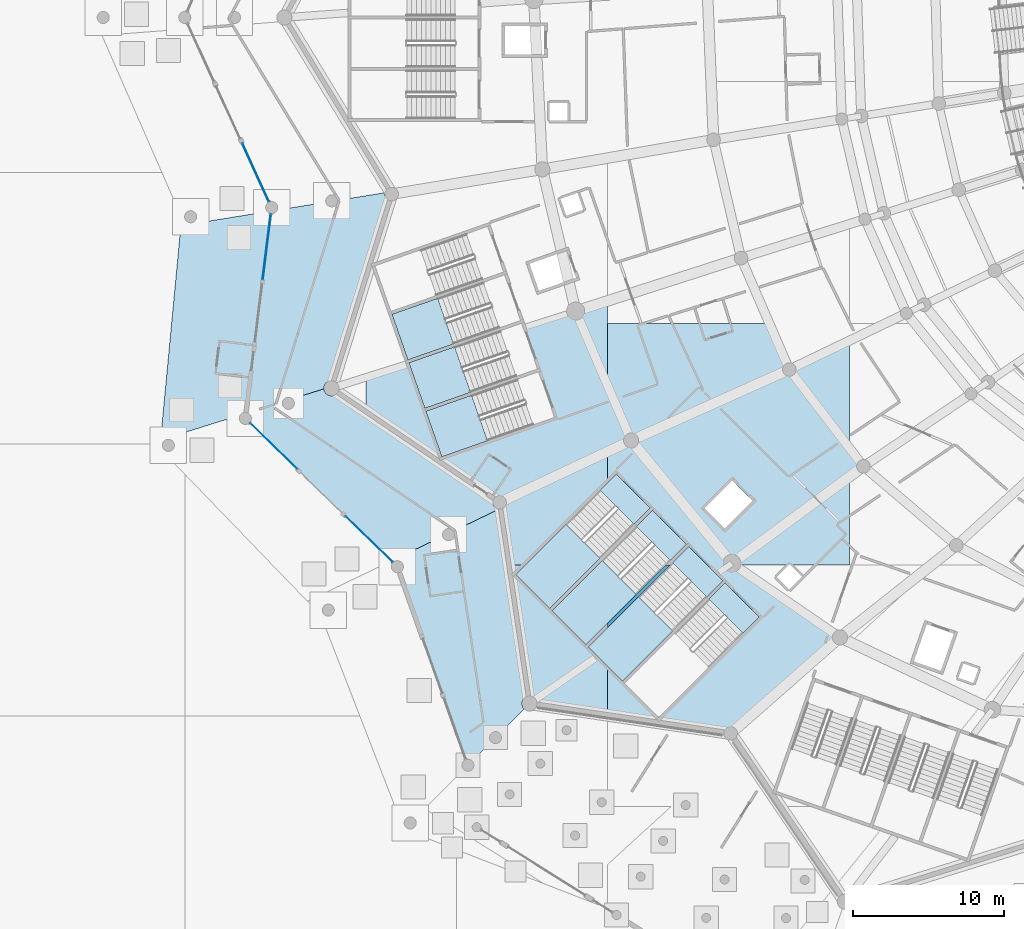
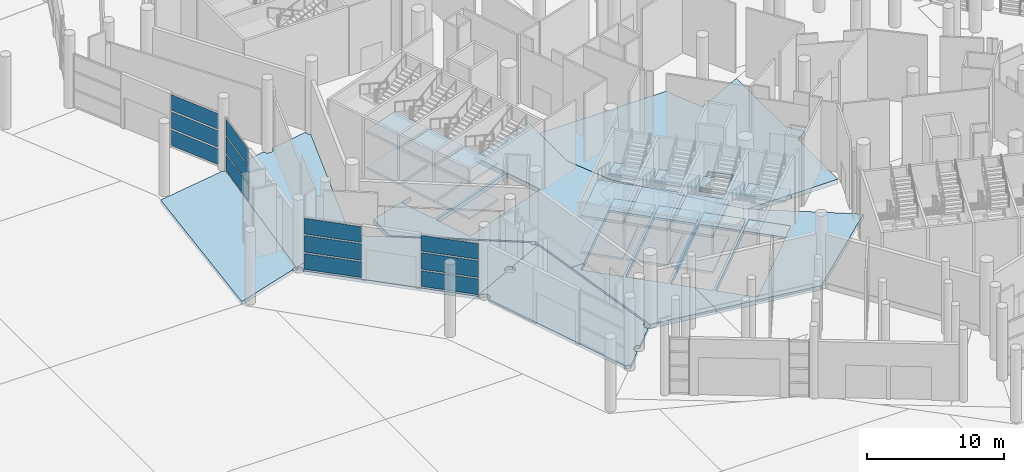
# One storey, part 70 of 255: 29 slabs, 12 plates, 11 elements without a shape of their own.
"""IFC4 building model written with IfcOpenShell, lengths in metres."""

from ifc_helpers import new_model, si_unit, direction, frame, origin, origin_2d, place, context, subcontext, project, spatial, polyline, rectangle, outline, extrude, material, layer, layer_set, type_object, element, aggregate, save


model = new_model("IFC4")

# Units and contexts
model_context = context("Model", 3, precision=1e-05, world=origin(), true_north=direction((0.0, 1.0)))
body_context = subcontext(model_context, "Body", "Model", "MODEL_VIEW")
ifc_project = project(units=[si_unit("LENGTHUNIT", "METRE"), si_unit("AREAUNIT", "SQUARE_METRE"), si_unit("VOLUMEUNIT", "CUBIC_METRE"), si_unit("PLANEANGLEUNIT", "RADIAN"), si_unit("MASSUNIT", "GRAM", prefix="KILO")], contexts=[model_context])

# Site, building, storey
site_placement = place(None, origin())
site = spatial("IfcSite", under=ifc_project, at=site_placement, CompositionType="ELEMENT")
building_placement = place(site_placement, origin())
building = spatial("IfcBuilding", under=site, at=building_placement, Name="Meseta Stadium", CompositionType="ELEMENT")
storey_placement = place(building_placement, origin())
storey = spatial("IfcBuildingStorey", under=building, at=storey_placement, Name="L00", CompositionType="ELEMENT", Elevation=0.0)

# Slabs
ifc_material_1 = material(Name="Concrete C40/50", Category="concrete")
ifc_layer_1 = layer(ifc_material_1, 0.39990234375)
ifc_layer_set_1 = layer_set([ifc_layer_1], Name="Floor slab 400")
slab_type_1 = type_object("IfcSlabType", Name="Floor slab 400", PredefinedType="FLOOR", material=ifc_layer_set_1)
slab_1_placement = place(storey_placement, frame((0.0, 0.0, -0.39990234375)))
element("IfcSlab", 1, at=slab_1_placement, inside=storey, type_object=slab_type_1, Name="Floor slab L00 sector 35 panel 04", PredefinedType="FLOOR", context=body_context, shape_type="SweptSolid", body=[
    extrude(outline(polyline([(-80.0, -62.44580078125), (-85.63037109375, -64.211181640625), (-84.647705078125, -67.01953125), (-92.104248046875, -69.62890625), (-93.1611328125, -66.6083984375), (-92.1708984375, -66.26171875), (-96.0, -67.46240234375), (-96.0, -69.85205078125), (-87.15087890625, -75.856689453125), (-86.53564453125, -80.0), (-85.475341796875, -80.0), (-80.0, -74.524658203125), (-80.0, -72.84228515625), (-78.246337890625, -71.998779296875), (-78.4453125, -71.756103515625), (-80.0, -68.13232421875), (-80.0, -62.44580078125)]), holes=[polyline([(-92.0380859375, -69.8173828125), (-84.58154296875, -67.208251953125), (-83.524658203125, -70.228759765625), (-90.981201171875, -72.837890625), (-92.0380859375, -69.8173828125)])]), origin(), (0.0, 0.0, 1.0), 0.39990234375),
])
slab_2_placement = place(storey_placement, frame((0.0, 0.0, -0.39990234375)))
element("IfcSlab", 2, at=slab_2_placement, inside=storey, type_object=slab_type_1, Name="Floor slab L00 sector 35 panel 05", PredefinedType="FLOOR", context=body_context, shape_type="SweptSolid", body=[
    extrude(outline(polyline([(-83.688720703125, -83.02197265625), (-80.0, -79.3330078125), (-80.0, -79.05029296875), (-83.830078125, -82.880615234375), (-86.093017578125, -80.61767578125), (-85.475341796875, -80.0), (-86.53564453125, -80.0), (-85.173583984375, -89.173583984375), (-80.0, -89.94189453125), (-80.0, -86.710693359375), (-81.28466796875, -85.426025390625), (-80.0, -84.141357421875), (-80.0, -83.858642578125), (-81.426025390625, -85.28466796875), (-83.688720703125, -83.02197265625)])), origin(), (0.0, 0.0, 1.0), 0.39990234375),
])
slab_3_placement = place(storey_placement, frame((0.0, 0.0, -0.39990234375)))
element("IfcSlab", 3, at=slab_3_placement, inside=storey, type_object=slab_type_1, Name="Floor slab L00 sector 35 panel 08", PredefinedType="FLOOR", context=body_context, shape_type="SweptSolid", body=[
    extrude(outline(polyline([(-80.0, -83.858642578125), (-80.0, -84.141357421875), (-75.858642578125, -80.0), (-76.141357421875, -80.0), (-80.0, -83.858642578125)])), origin(), (0.0, 0.0, 1.0), 0.39990234375),
])
slab_4_placement = place(storey_placement, frame((0.0, 0.0, -0.39990234375)))
element("IfcSlab", 4, at=slab_4_placement, inside=storey, type_object=slab_type_1, Name="Floor slab L00 sector 35 panel 09", PredefinedType="FLOOR", context=body_context, shape_type="SweptSolid", body=[
    extrude(outline(polyline([(-74.779296875, -78.6376953125), (-76.141357421875, -80.0), (-75.858642578125, -80.0), (-74.6376953125, -78.779296875), (-72.375, -81.0419921875), (-79.02197265625, -87.688720703125), (-80.0, -86.710693359375), (-80.0, -89.94189453125), (-71.856689453125, -91.15087890625), (-64.6220703125, -84.79248046875), (-71.775390625, -79.888916015625), (-78.246337890625, -71.998779296875), (-80.0, -72.84228515625), (-80.0, -74.524658203125), (-79.4462890625, -73.970947265625), (-77.183349609375, -76.233642578125), (-80.0, -79.05029296875), (-80.0, -79.3330078125), (-77.0419921875, -76.375), (-74.779296875, -78.6376953125)]), holes=[polyline([(-78.880615234375, -87.830078125), (-72.233642578125, -81.183349609375), (-69.970947265625, -83.4462890625), (-76.61767578125, -90.093017578125), (-78.880615234375, -87.830078125)])]), origin(), (0.0, 0.0, 1.0), 0.39990234375),
])
slab_5_placement = place(storey_placement, frame((0.0, 0.0, -0.39990234375)))
element("IfcSlab", 5, at=slab_5_placement, inside=storey, type_object=slab_type_1, Name="Floor slab L00 sector 35 panel 10", PredefinedType="FLOOR", context=body_context, shape_type="SweptSolid", body=[
    extrude(outline(polyline([(-64.0, -65.1474609375), (-67.972412109375, -67.057861328125), (-69.297119140625, -64.0), (-80.0, -64.0), (-80.0, -68.13232421875), (-78.4453125, -71.756103515625), (-71.775390625, -79.888916015625), (-71.61328125, -80.0), (-68.009765625, -80.0), (-67.963134765625, -79.953369140625), (-67.91650390625, -80.0), (-64.0, -80.0), (-64.0, -74.15673828125), (-63.068115234375, -73.469970703125), (-64.0, -72.251708984375), (-64.0, -65.1474609375)]), holes=[polyline([(-73.584716796875, -76.2412109375), (-71.74609375, -74.402587890625), (-70.402587890625, -75.74609375), (-72.2412109375, -77.584716796875), (-73.584716796875, -76.2412109375)])]), origin(), (0.0, 0.0, 1.0), 0.39990234375),
])
ifc_material_2 = material(Name="Concrete C40/50", Category="concrete")
ifc_layer_2 = layer(ifc_material_2, 0.300048828125)
ifc_layer_set_2 = layer_set([ifc_layer_2], Name="Passage paving slab 300")
slab_type_2 = type_object("IfcSlabType", Name="Passage paving slab 300", PredefinedType="FLOOR", material=ifc_layer_set_2)
slab_6_placement = place(storey_placement, frame((0.0, 0.0, -0.300048828125)))
element("IfcSlab", 6, at=slab_6_placement, inside=storey, type_object=slab_type_2, Name="Covered passage paving 5 part 2 panel 03", PredefinedType="FLOOR", context=body_context, shape_type="SweptSolid", body=[
    extrude(outline(polyline([(-102.541748046875, -56.606201171875), (-108.255615234375, -57.526611328125), (-109.601318359375, -71.726806640625), (-104.326416015625, -70.072998046875), (-104.275146484375, -70.00634765625), (-104.191650390625, -69.942138671875), (-104.094482421875, -69.90185546875), (-103.989990234375, -69.88818359375), (-103.940185546875, -69.89453125), (-102.293701171875, -56.734130859375), (-102.348388671875, -56.726806640625), (-102.44580078125, -56.6865234375), (-102.529296875, -56.62255859375), (-102.541748046875, -56.606201171875)])), origin(), (0.0, 0.0, 1.0), 0.300048828125),
])

# Curtain wall, plates
ifc_material_3 = material(Name="Aluminium", Category="aluminium")
ifc_layer_3 = layer(ifc_material_3, 0.199951171875)
ifc_layer_set_3 = layer_set([ifc_layer_3], Name="Ring shopfront curtain wall")
curtain_wall_type = type_object("IfcCurtainWallType", Name="Ring shopfront curtain wall", PredefinedType="NOTDEFINED", material=ifc_layer_set_3)
curtain_wall_1_placement = place(storey_placement, origin())
curtain_wall_1 = element("IfcCurtainWall", 7, at=curtain_wall_1_placement, inside=storey, type_object=curtain_wall_type, Name="Shopfront glazing F36b", PredefinedType="NOTDEFINED")
ifc_material_4 = material(Name="Glass", Category="glass")
ifc_layer_4 = layer(ifc_material_4, 0.035888671875)
ifc_layer_set_4 = layer_set([ifc_layer_4], Name="Ring CW glass panel 36")
plate_type = type_object("IfcPlateType", Name="Ring CW glass panel 36", PredefinedType="CURTAIN_PANEL", material=ifc_layer_set_4)
plate_1_placement = place(storey_placement, frame((-103.308837890625, -54.0087890625, 0.150146484375), z_axis=(0.0, 0.0, 1.0), x_axis=(0.415863140706, -0.909427208853, 0.0)))
plate_1 = element("IfcPlate", 8, at=plate_1_placement, type_object=plate_type, Name="CWR1 panel 1.1", PredefinedType="CURTAIN_PANEL", context=body_context, shape_type="SweptSolid", body=[
    extrude(rectangle(XDim=4.200439453125, YDim=0.035888671875, at=origin_2d()), origin(), (0.0, 0.0, 1.0), 1.3916015625),
])
plate_2_placement = place(storey_placement, frame((-103.308837890625, -54.0087890625, 1.69189453125), z_axis=(0.0, 0.0, 1.0), x_axis=(0.415863140706, -0.909427208853, 0.0)))
plate_2 = element("IfcPlate", 9, at=plate_2_placement, type_object=plate_type, Name="CWR1 panel 1.2", PredefinedType="CURTAIN_PANEL", context=body_context, shape_type="SweptSolid", body=[
    extrude(rectangle(XDim=4.200439453125, YDim=0.035888671875, at=origin_2d()), origin(), (0.0, 0.0, 1.0), 1.466552734375),
])
plate_3_placement = place(storey_placement, frame((-103.308837890625, -54.0087890625, 3.308349609375), z_axis=(0.0, 0.0, 1.0), x_axis=(0.415863140706, -0.909427208853, 0.0)))
plate_3 = element("IfcPlate", 10, at=plate_3_placement, type_object=plate_type, Name="CWR1 panel 1.3", PredefinedType="CURTAIN_PANEL", context=body_context, shape_type="SweptSolid", body=[
    extrude(rectangle(XDim=4.200439453125, YDim=0.035888671875, at=origin_2d()), origin(), (0.0, 0.0, 1.0), 1.3916015625),
])
aggregate(curtain_wall_1, [plate_1, plate_2, plate_3])

curtain_wall_2_placement = place(storey_placement, origin())
curtain_wall_2 = element("IfcCurtainWall", 11, at=curtain_wall_2_placement, inside=storey, type_object=curtain_wall_type, Name="Shopfront glazing F37a", PredefinedType="NOTDEFINED")
plate_4_placement = place(storey_placement, frame((-102.56884765625, -58.932861328125, 0.150146484375), z_axis=(0.0, 0.0, 1.0), x_axis=(-0.124131938531, -0.992265721385, 0.0)))
plate_4 = element("IfcPlate", 12, at=plate_4_placement, type_object=plate_type, Name="CWR1 panel 1.1", PredefinedType="CURTAIN_PANEL", context=body_context, shape_type="SweptSolid", body=[
    extrude(rectangle(XDim=4.3115234375, YDim=0.035888671875, at=origin_2d()), origin(), (0.0, 0.0, 1.0), 1.3916015625),
])
plate_5_placement = place(storey_placement, frame((-102.56884765625, -58.932861328125, 1.69189453125), z_axis=(0.0, 0.0, 1.0), x_axis=(-0.124131938531, -0.992265721385, 0.0)))
plate_5 = element("IfcPlate", 13, at=plate_5_placement, type_object=plate_type, Name="CWR1 panel 1.2", PredefinedType="CURTAIN_PANEL", context=body_context, shape_type="SweptSolid", body=[
    extrude(rectangle(XDim=4.3115234375, YDim=0.035888671875, at=origin_2d()), origin(), (0.0, 0.0, 1.0), 1.466552734375),
])
plate_6_placement = place(storey_placement, frame((-102.56884765625, -58.932861328125, 3.308349609375), z_axis=(0.0, 0.0, 1.0), x_axis=(-0.124131938531, -0.992265721385, 0.0)))
plate_6 = element("IfcPlate", 14, at=plate_6_placement, type_object=plate_type, Name="CWR1 panel 1.3", PredefinedType="CURTAIN_PANEL", context=body_context, shape_type="SweptSolid", body=[
    extrude(rectangle(XDim=4.3115234375, YDim=0.035888671875, at=origin_2d()), origin(), (0.0, 0.0, 1.0), 1.3916015625),
])
aggregate(curtain_wall_2, [plate_4, plate_5, plate_6])

curtain_wall_3_placement = place(storey_placement, origin())
curtain_wall_3 = element("IfcCurtainWall", 15, at=curtain_wall_3_placement, inside=storey, type_object=curtain_wall_type, Name="Shopfront glazing F38a", PredefinedType="NOTDEFINED")
plate_7_placement = place(storey_placement, frame((-102.117919921875, -72.118408203125, 0.150146484375), z_axis=(0.0, 0.0, 1.0), x_axis=(0.715729951712, -0.698377144688, 0.0)))
plate_7 = element("IfcPlate", 16, at=plate_7_placement, type_object=plate_type, Name="CWR1 panel 1.1", PredefinedType="CURTAIN_PANEL", context=body_context, shape_type="SweptSolid", body=[
    extrude(rectangle(XDim=4.3115234375, YDim=0.035888671875, at=origin_2d()), origin(), (0.0, 0.0, 1.0), 1.3916015625),
])
plate_8_placement = place(storey_placement, frame((-102.117919921875, -72.118408203125, 1.69189453125), z_axis=(0.0, 0.0, 1.0), x_axis=(0.715729951712, -0.698377144688, 0.0)))
plate_8 = element("IfcPlate", 17, at=plate_8_placement, type_object=plate_type, Name="CWR1 panel 1.2", PredefinedType="CURTAIN_PANEL", context=body_context, shape_type="SweptSolid", body=[
    extrude(rectangle(XDim=4.3115234375, YDim=0.035888671875, at=origin_2d()), origin(), (0.0, 0.0, 1.0), 1.466552734375),
])
plate_9_placement = place(storey_placement, frame((-102.117919921875, -72.118408203125, 3.308349609375), z_axis=(0.0, 0.0, 1.0), x_axis=(0.715729951712, -0.698377144688, 0.0)))
plate_9 = element("IfcPlate", 18, at=plate_9_placement, type_object=plate_type, Name="CWR1 panel 1.3", PredefinedType="CURTAIN_PANEL", context=body_context, shape_type="SweptSolid", body=[
    extrude(rectangle(XDim=4.3115234375, YDim=0.035888671875, at=origin_2d()), origin(), (0.0, 0.0, 1.0), 1.3916015625),
])
aggregate(curtain_wall_3, [plate_7, plate_8, plate_9])

curtain_wall_4_placement = place(storey_placement, origin())
curtain_wall_4 = element("IfcCurtainWall", 19, at=curtain_wall_4_placement, inside=storey, type_object=curtain_wall_type, Name="Shopfront glazing F38b", PredefinedType="NOTDEFINED")
plate_10_placement = place(storey_placement, frame((-95.796875, -78.2861328125, 0.150146484375), z_axis=(0.0, 0.0, 1.0), x_axis=(0.715718672485, -0.698388703987, 0.0)))
plate_10 = element("IfcPlate", 20, at=plate_10_placement, type_object=plate_type, Name="CWR1 panel 1.1", PredefinedType="CURTAIN_PANEL", context=body_context, shape_type="SweptSolid", body=[
    extrude(rectangle(XDim=4.3115234375, YDim=0.035888671875, at=origin_2d()), origin(), (0.0, 0.0, 1.0), 1.3916015625),
])
plate_11_placement = place(storey_placement, frame((-95.796875, -78.2861328125, 1.69189453125), z_axis=(0.0, 0.0, 1.0), x_axis=(0.715718672485, -0.698388703987, 0.0)))
plate_11 = element("IfcPlate", 21, at=plate_11_placement, type_object=plate_type, Name="CWR1 panel 1.2", PredefinedType="CURTAIN_PANEL", context=body_context, shape_type="SweptSolid", body=[
    extrude(rectangle(XDim=4.3115234375, YDim=0.035888671875, at=origin_2d()), origin(), (0.0, 0.0, 1.0), 1.466552734375),
])
plate_12_placement = place(storey_placement, frame((-95.796875, -78.2861328125, 3.308349609375), z_axis=(0.0, 0.0, 1.0), x_axis=(0.715718672485, -0.698388703987, 0.0)))
plate_12 = element("IfcPlate", 22, at=plate_12_placement, type_object=plate_type, Name="CWR1 panel 1.3", PredefinedType="CURTAIN_PANEL", context=body_context, shape_type="SweptSolid", body=[
    extrude(rectangle(XDim=4.3115234375, YDim=0.035888671875, at=origin_2d()), origin(), (0.0, 0.0, 1.0), 1.3916015625),
])
aggregate(curtain_wall_4, [plate_10, plate_11, plate_12])

# Slabs
ifc_material_5 = material(Name="Concrete C30/37", Category="concrete")
ifc_layer_5 = layer(ifc_material_5, 0.300048828125)
ifc_layer_set_5 = layer_set([ifc_layer_5], Name="Ring grade slab 300")
slab_type_3 = type_object("IfcSlabType", Name="Ring grade slab 300", PredefinedType="BASESLAB", material=ifc_layer_set_5)
slab_7_placement = place(storey_placement, frame((0.0, 0.0, -0.300048828125)))
element("IfcSlab", 23, at=slab_7_placement, inside=storey, type_object=slab_type_3, Name="Ring ground floor slab 5 part 2 panel 03", PredefinedType="BASESLAB", context=body_context, shape_type="SweptSolid", body=[
    extrude(outline(polyline([(-103.940185546875, -69.89453125), (-103.885498046875, -69.90185546875), (-103.84033203125, -69.920654296875), (-101.531005859375, -69.196533203125), (-101.5302734375, -69.190185546875), (-101.489990234375, -69.0927734375), (-101.42578125, -69.00927734375), (-101.34228515625, -68.945068359375), (-101.2451171875, -68.90478515625), (-101.140380859375, -68.89111328125), (-101.0361328125, -68.90478515625), (-100.938720703125, -68.945068359375), (-100.8779296875, -68.99169921875), (-98.790283203125, -68.337158203125), (-98.79541015625, -68.297607421875), (-98.7783203125, -68.1669921875), (-98.727783203125, -68.04541015625), (-98.647705078125, -67.94091796875), (-98.543212890625, -67.860595703125), (-98.421630859375, -67.810302734375), (-98.29150390625, -67.793212890625), (-94.563720703125, -55.802001953125), (-94.615478515625, -55.762451171875), (-94.6875, -55.66845703125), (-94.73291015625, -55.558837890625), (-94.748291015625, -55.44140625), (-94.736083984375, -55.34912109375), (-97.87060546875, -55.85400390625), (-97.86572265625, -55.889404296875), (-97.879638671875, -55.993896484375), (-97.919921875, -56.091064453125), (-97.98388671875, -56.174560546875), (-98.0673828125, -56.23876953125), (-98.164794921875, -56.279052734375), (-98.269287109375, -56.292724609375), (-98.373779296875, -56.279052734375), (-98.470947265625, -56.23876953125), (-98.554443359375, -56.174560546875), (-98.61865234375, -56.091064453125), (-98.658935546875, -55.993896484375), (-98.66064453125, -55.981201171875), (-101.87841796875, -56.49951171875), (-101.894775390625, -56.538818359375), (-101.958740234375, -56.62255859375), (-102.04248046875, -56.6865234375), (-102.1396484375, -56.726806640625), (-102.244140625, -56.740478515625), (-102.293701171875, -56.734130859375), (-103.940185546875, -69.89453125)])), origin(), (0.0, 0.0, 1.0), 0.300048828125),
])
slab_8_placement = place(storey_placement, frame((0.0, 0.0, -0.300048828125)))
element("IfcSlab", 24, at=slab_8_placement, inside=storey, type_object=slab_type_3, Name="Ring ground floor slab 5 part 2 panel 04", PredefinedType="BASESLAB", context=body_context, shape_type="SweptSolid", body=[
    extrude(outline(polyline([(-103.640380859375, -70.493408203125), (-103.70166015625, -70.572998046875), (-94.31884765625, -79.728515625), (-90.924560546875, -78.09619140625), (-90.927490234375, -78.08935546875), (-90.941162109375, -77.98486328125), (-90.927490234375, -77.880615234375), (-90.88720703125, -77.783203125), (-90.822998046875, -77.69970703125), (-90.739501953125, -77.635498046875), (-90.64208984375, -77.59521484375), (-90.53759765625, -77.581298828125), (-90.433349609375, -77.59521484375), (-90.3359375, -77.635498046875), (-90.25244140625, -77.69970703125), (-90.21142578125, -77.753173828125), (-87.2333984375, -76.32080078125), (-87.23681640625, -76.29931640625), (-87.268310546875, -76.295166015625), (-87.377685546875, -76.249755859375), (-87.4716796875, -76.177734375), (-87.5439453125, -76.083740234375), (-87.589111328125, -75.97412109375), (-87.604736328125, -75.856689453125), (-87.58935546875, -75.740478515625), (-97.980712890625, -68.689453125), (-98.0390625, -68.734130859375), (-98.16064453125, -68.78466796875), (-98.291015625, -68.8017578125), (-98.421630859375, -68.78466796875), (-98.543212890625, -68.734130859375), (-98.647705078125, -68.654052734375), (-98.727783203125, -68.549560546875), (-98.7783203125, -68.427978515625), (-98.790283203125, -68.337158203125), (-100.8779296875, -68.99169921875), (-100.855224609375, -69.00927734375), (-100.791015625, -69.0927734375), (-100.750732421875, -69.190185546875), (-100.737060546875, -69.29443359375), (-100.750732421875, -69.39892578125), (-100.791015625, -69.49609375), (-100.855224609375, -69.579833984375), (-100.938720703125, -69.643798828125), (-101.0361328125, -69.68408203125), (-101.140380859375, -69.697998046875), (-101.2451171875, -69.68408203125), (-101.34228515625, -69.643798828125), (-101.42578125, -69.579833984375), (-101.489990234375, -69.49609375), (-101.5302734375, -69.39892578125), (-101.5439453125, -69.29443359375), (-101.531005859375, -69.196533203125), (-103.84033203125, -69.920654296875), (-103.7880859375, -69.942138671875), (-103.70458984375, -70.00634765625), (-103.640380859375, -70.08984375), (-103.60009765625, -70.18701171875), (-103.58642578125, -70.29150390625), (-103.60009765625, -70.39599609375), (-103.640380859375, -70.493408203125)])), origin(), (0.0, 0.0, 1.0), 0.300048828125),
])
slab_9_placement = place(storey_placement, frame((0.0, 0.0, -0.300048828125)))
element("IfcSlab", 25, at=slab_9_placement, inside=storey, type_object=slab_type_3, Name="Ring ground floor slab 5 part 2 panel 05", PredefinedType="BASESLAB", context=body_context, shape_type="SweptSolid", body=[
    extrude(outline(polyline([(-93.5751953125, -80.314697265625), (-93.639404296875, -80.398193359375), (-93.722900390625, -80.46240234375), (-93.79052734375, -80.490478515625), (-89.388916015625, -92.87744140625), (-89.359375, -92.864990234375), (-89.2548828125, -92.851318359375), (-89.150390625, -92.864990234375), (-89.052978515625, -92.905517578125), (-88.969482421875, -92.969482421875), (-87.711669921875, -91.711669921875), (-87.77587890625, -91.628173828125), (-87.816162109375, -91.53076171875), (-87.829833984375, -91.426513671875), (-87.816162109375, -91.322021484375), (-87.77587890625, -91.224609375), (-87.711669921875, -91.14111328125), (-87.628173828125, -91.076904296875), (-87.53076171875, -91.03662109375), (-87.426513671875, -91.02294921875), (-87.322021484375, -91.03662109375), (-87.224609375, -91.076904296875), (-87.14111328125, -91.14111328125), (-85.5302734375, -89.5302734375), (-85.610595703125, -89.42578125), (-85.660888671875, -89.30419921875), (-85.677978515625, -89.173583984375), (-85.660888671875, -89.043212890625), (-85.610595703125, -88.921630859375), (-85.5302734375, -88.817138671875), (-85.42578125, -88.737060546875), (-85.392333984375, -88.722900390625), (-87.2333984375, -76.32080078125), (-90.21142578125, -77.753173828125), (-90.188232421875, -77.783203125), (-90.14794921875, -77.880615234375), (-90.13427734375, -77.98486328125), (-90.14794921875, -78.08935546875), (-90.188232421875, -78.1865234375), (-90.25244140625, -78.270263671875), (-90.3359375, -78.334228515625), (-90.433349609375, -78.37451171875), (-90.53759765625, -78.38818359375), (-90.64208984375, -78.37451171875), (-90.739501953125, -78.334228515625), (-90.822998046875, -78.270263671875), (-90.88720703125, -78.1865234375), (-90.924560546875, -78.09619140625), (-94.31884765625, -79.728515625), (-94.212890625, -79.831787109375), (-94.2099609375, -79.82763671875), (-94.126220703125, -79.763671875), (-94.029052734375, -79.723388671875), (-93.924560546875, -79.709716796875), (-93.8203125, -79.723388671875), (-93.722900390625, -79.763671875), (-93.639404296875, -79.82763671875), (-93.5751953125, -79.911376953125), (-93.534912109375, -80.008544921875), (-93.52099609375, -80.113037109375), (-93.534912109375, -80.21728515625), (-93.5751953125, -80.314697265625)])), origin(), (0.0, 0.0, 1.0), 0.300048828125),
])

# Stair, slabs
ifc_material_6 = material(Name="Concrete C40/50", Category="concrete")
stair_type = type_object("IfcStairType", Name="Exit stair 4 flights 148 mm risers", PredefinedType="HALF_TURN_STAIR", material=ifc_material_6)
stair_1_placement = place(storey_placement, origin())
stair_1 = element("IfcStair", 26, at=stair_1_placement, inside=storey, type_object=stair_type, Name="ST78 L00", PredefinedType="HALF_TURN_STAIR")
ifc_material_7 = material(Name="Concrete C40/50", Category="concrete")
ifc_layer_6 = layer(ifc_material_7, 0.199951171875)
ifc_layer_set_6 = layer_set([ifc_layer_6], Name="Stair landing 200")
slab_type_4 = type_object("IfcSlabType", Name="Stair landing 200", PredefinedType="LANDING", material=ifc_layer_set_6)
slab_10_placement = place(storey_placement, frame((0.0, 0.0, 1.425048828125)))
slab_10 = element("IfcSlab", 27, at=slab_10_placement, type_object=slab_type_4, Name="ST78 L00 landing 1", PredefinedType="LANDING", context=body_context, shape_type="SweptSolid", body=[
    extrude(outline(polyline([(-91.254150390625, -62.3388671875), (-94.2841796875, -63.399169921875), (-93.227294921875, -66.419677734375), (-90.197265625, -65.359375), (-91.254150390625, -62.3388671875)])), origin(), (0.0, 0.0, 1.0), 0.199951171875),
])
slab_11_placement = place(storey_placement, frame((0.0, 0.0, 4.675048828125)))
slab_11 = element("IfcSlab", 28, at=slab_11_placement, type_object=slab_type_4, Name="ST78 L00 landing 3", PredefinedType="LANDING", context=body_context, shape_type="SweptSolid", body=[
    extrude(outline(polyline([(-91.254150390625, -62.3388671875), (-94.2841796875, -63.399169921875), (-93.227294921875, -66.419677734375), (-90.197265625, -65.359375), (-91.254150390625, -62.3388671875)])), origin(), (0.0, 0.0, 1.0), 0.199951171875),
])
aggregate(stair_1, [slab_10, slab_11])

stair_2_placement = place(storey_placement, origin())
stair_2 = element("IfcStair", 29, at=stair_2_placement, inside=storey, type_object=stair_type, Name="ST79 L00", PredefinedType="HALF_TURN_STAIR")
slab_12_placement = place(storey_placement, frame((0.0, 0.0, 1.425048828125)))
slab_12 = element("IfcSlab", 30, at=slab_12_placement, type_object=slab_type_4, Name="ST79 L00 landing 1", PredefinedType="LANDING", context=body_context, shape_type="SweptSolid", body=[
    extrude(outline(polyline([(-90.13134765625, -65.548095703125), (-93.1611328125, -66.6083984375), (-92.104248046875, -69.628662109375), (-89.074462890625, -68.568603515625), (-90.13134765625, -65.548095703125)])), origin(), (0.0, 0.0, 1.0), 0.199951171875),
])
slab_13_placement = place(storey_placement, frame((0.0, 0.0, 4.675048828125)))
slab_13 = element("IfcSlab", 31, at=slab_13_placement, type_object=slab_type_4, Name="ST79 L00 landing 3", PredefinedType="LANDING", context=body_context, shape_type="SweptSolid", body=[
    extrude(outline(polyline([(-90.13134765625, -65.548095703125), (-93.1611328125, -66.6083984375), (-92.104248046875, -69.628662109375), (-89.074462890625, -68.568603515625), (-90.13134765625, -65.548095703125)])), origin(), (0.0, 0.0, 1.0), 0.199951171875),
])
aggregate(stair_2, [slab_12, slab_13])

stair_3_placement = place(storey_placement, origin())
stair_3 = element("IfcStair", 32, at=stair_3_placement, inside=storey, type_object=stair_type, Name="ST80 L00", PredefinedType="HALF_TURN_STAIR")
slab_14_placement = place(storey_placement, frame((0.0, 0.0, 1.425048828125)))
slab_14 = element("IfcSlab", 33, at=slab_14_placement, type_object=slab_type_4, Name="ST80 L00 landing 1", PredefinedType="LANDING", context=body_context, shape_type="SweptSolid", body=[
    extrude(outline(polyline([(-89.00830078125, -68.75732421875), (-92.0380859375, -69.817626953125), (-90.981201171875, -72.837890625), (-87.951416015625, -71.77783203125), (-89.00830078125, -68.75732421875)])), origin(), (0.0, 0.0, 1.0), 0.199951171875),
])
slab_15_placement = place(storey_placement, frame((0.0, 0.0, 4.675048828125)))
slab_15 = element("IfcSlab", 34, at=slab_15_placement, type_object=slab_type_4, Name="ST80 L00 landing 3", PredefinedType="LANDING", context=body_context, shape_type="SweptSolid", body=[
    extrude(outline(polyline([(-89.00830078125, -68.75732421875), (-92.0380859375, -69.817626953125), (-90.981201171875, -72.837890625), (-87.951416015625, -71.77783203125), (-89.00830078125, -68.75732421875)])), origin(), (0.0, 0.0, 1.0), 0.199951171875),
])
aggregate(stair_3, [slab_14, slab_15])

stair_4_placement = place(storey_placement, origin())
stair_4 = element("IfcStair", 35, at=stair_4_placement, inside=storey, type_object=stair_type, Name="ST81 L00", PredefinedType="HALF_TURN_STAIR")
slab_16_placement = place(storey_placement, frame((0.0, 0.0, 1.425048828125)))
slab_16 = element("IfcSlab", 36, at=slab_16_placement, type_object=slab_type_4, Name="ST81 L00 landing 1", PredefinedType="LANDING", context=body_context, shape_type="SweptSolid", body=[
    extrude(outline(polyline([(-82.762451171875, -77.287353515625), (-86.093017578125, -80.61767578125), (-83.830322265625, -82.88037109375), (-80.499755859375, -79.550048828125), (-82.762451171875, -77.287353515625)])), origin(), (0.0, 0.0, 1.0), 0.199951171875),
])
slab_17_placement = place(storey_placement, frame((0.0, 0.0, 3.050048828125)))
slab_17 = element("IfcSlab", 37, at=slab_17_placement, type_object=slab_type_4, Name="ST81 L00 landing 2", PredefinedType="LANDING", context=body_context, shape_type="SweptSolid", body=[
    extrude(outline(polyline([(-79.446044921875, -73.970947265625), (-80.513916015625, -75.03857421875), (-78.251220703125, -77.301513671875), (-77.183349609375, -76.233642578125), (-79.446044921875, -73.970947265625)])), origin(), (0.0, 0.0, 1.0), 0.199951171875),
])
slab_18_placement = place(storey_placement, frame((0.0, 0.0, 4.675048828125)))
slab_18 = element("IfcSlab", 38, at=slab_18_placement, type_object=slab_type_4, Name="ST81 L00 landing 3", PredefinedType="LANDING", context=body_context, shape_type="SweptSolid", body=[
    extrude(outline(polyline([(-82.762451171875, -77.287353515625), (-86.093017578125, -80.61767578125), (-83.830322265625, -82.88037109375), (-80.499755859375, -79.550048828125), (-82.762451171875, -77.287353515625)])), origin(), (0.0, 0.0, 1.0), 0.199951171875),
])
slab_19_placement = place(storey_placement, frame((0.0, 0.0, -0.199951171875)))
slab_19 = element("IfcSlab", 39, at=slab_19_placement, type_object=slab_type_4, Name="ST81 L00 landing 4", PredefinedType="LANDING", context=body_context, shape_type="SweptSolid", body=[
    extrude(outline(polyline([(-79.446044921875, -73.970947265625), (-80.513916015625, -75.03857421875), (-78.251220703125, -77.301513671875), (-77.183349609375, -76.233642578125), (-79.446044921875, -73.970947265625)])), origin(), (0.0, 0.0, 1.0), 0.199951171875),
])
aggregate(stair_4, [slab_16, slab_17, slab_18, slab_19])

stair_5_placement = place(storey_placement, origin())
stair_5 = element("IfcStair", 40, at=stair_5_placement, inside=storey, type_object=stair_type, Name="ST82 L00", PredefinedType="HALF_TURN_STAIR")
slab_20_placement = place(storey_placement, frame((0.0, 0.0, 1.425048828125)))
slab_20 = element("IfcSlab", 41, at=slab_20_placement, type_object=slab_type_4, Name="ST82 L00 landing 1", PredefinedType="LANDING", context=body_context, shape_type="SweptSolid", body=[
    extrude(outline(polyline([(-80.3583984375, -79.69140625), (-83.688720703125, -83.02197265625), (-81.426025390625, -85.28466796875), (-78.095458984375, -81.9541015625), (-80.3583984375, -79.69140625)])), origin(), (0.0, 0.0, 1.0), 0.199951171875),
])
slab_21_placement = place(storey_placement, frame((0.0, 0.0, 3.050048828125)))
slab_21 = element("IfcSlab", 42, at=slab_21_placement, type_object=slab_type_4, Name="ST82 L00 landing 2", PredefinedType="LANDING", context=body_context, shape_type="SweptSolid", body=[
    extrude(outline(polyline([(-77.0419921875, -76.375), (-78.109619140625, -77.44287109375), (-75.846923828125, -79.70556640625), (-74.779296875, -78.637939453125), (-77.0419921875, -76.375)])), origin(), (0.0, 0.0, 1.0), 0.199951171875),
])
slab_22_placement = place(storey_placement, frame((0.0, 0.0, 4.675048828125)))
slab_22 = element("IfcSlab", 43, at=slab_22_placement, type_object=slab_type_4, Name="ST82 L00 landing 3", PredefinedType="LANDING", context=body_context, shape_type="SweptSolid", body=[
    extrude(outline(polyline([(-80.3583984375, -79.69140625), (-83.688720703125, -83.02197265625), (-81.426025390625, -85.28466796875), (-78.095458984375, -81.9541015625), (-80.3583984375, -79.69140625)])), origin(), (0.0, 0.0, 1.0), 0.199951171875),
])
slab_23_placement = place(storey_placement, frame((0.0, 0.0, -0.199951171875)))
slab_23 = element("IfcSlab", 44, at=slab_23_placement, type_object=slab_type_4, Name="ST82 L00 landing 4", PredefinedType="LANDING", context=body_context, shape_type="SweptSolid", body=[
    extrude(outline(polyline([(-77.0419921875, -76.375), (-78.109619140625, -77.44287109375), (-75.846923828125, -79.70556640625), (-74.779296875, -78.637939453125), (-77.0419921875, -76.375)])), origin(), (0.0, 0.0, 1.0), 0.199951171875),
])
aggregate(stair_5, [slab_20, slab_21, slab_22, slab_23])

stair_6_placement = place(storey_placement, origin())
stair_6 = element("IfcStair", 45, at=stair_6_placement, inside=storey, type_object=stair_type, Name="ST83 L00", PredefinedType="HALF_TURN_STAIR")
slab_24_placement = place(storey_placement, frame((0.0, 0.0, 1.425048828125)))
slab_24 = element("IfcSlab", 46, at=slab_24_placement, type_object=slab_type_4, Name="ST83 L00 landing 1", PredefinedType="LANDING", context=body_context, shape_type="SweptSolid", body=[
    extrude(outline(polyline([(-77.9541015625, -82.095458984375), (-81.28466796875, -85.426025390625), (-79.02197265625, -87.688720703125), (-75.69140625, -84.3583984375), (-77.9541015625, -82.095458984375)])), origin(), (0.0, 0.0, 1.0), 0.199951171875),
])
slab_25_placement = place(storey_placement, frame((0.0, 0.0, 3.050048828125)))
slab_25 = element("IfcSlab", 47, at=slab_25_placement, type_object=slab_type_4, Name="ST83 L00 landing 2", PredefinedType="LANDING", context=body_context, shape_type="SweptSolid", body=[
    extrude(outline(polyline([(-74.637939453125, -78.779296875), (-75.70556640625, -79.846923828125), (-73.44287109375, -82.109619140625), (-72.375, -81.0419921875), (-74.637939453125, -78.779296875)])), origin(), (0.0, 0.0, 1.0), 0.199951171875),
])
slab_26_placement = place(storey_placement, frame((0.0, 0.0, 4.675048828125)))
slab_26 = element("IfcSlab", 48, at=slab_26_placement, type_object=slab_type_4, Name="ST83 L00 landing 3", PredefinedType="LANDING", context=body_context, shape_type="SweptSolid", body=[
    extrude(outline(polyline([(-77.9541015625, -82.095458984375), (-81.28466796875, -85.426025390625), (-79.02197265625, -87.688720703125), (-75.69140625, -84.3583984375), (-77.9541015625, -82.095458984375)])), origin(), (0.0, 0.0, 1.0), 0.199951171875),
])
slab_27_placement = place(storey_placement, frame((0.0, 0.0, -0.199951171875)))
slab_27 = element("IfcSlab", 49, at=slab_27_placement, type_object=slab_type_4, Name="ST83 L00 landing 4", PredefinedType="LANDING", context=body_context, shape_type="SweptSolid", body=[
    extrude(outline(polyline([(-74.637939453125, -78.779296875), (-75.70556640625, -79.846923828125), (-73.44287109375, -82.109619140625), (-72.375, -81.0419921875), (-74.637939453125, -78.779296875)])), origin(), (0.0, 0.0, 1.0), 0.199951171875),
])
aggregate(stair_6, [slab_24, slab_25, slab_26, slab_27])

stair_7_placement = place(storey_placement, origin())
stair_7 = element("IfcStair", 50, at=stair_7_placement, inside=storey, type_object=stair_type, Name="ST84 L00", PredefinedType="HALF_TURN_STAIR")
slab_28_placement = place(storey_placement, frame((0.0, 0.0, 3.050048828125)))
slab_28 = element("IfcSlab", 51, at=slab_28_placement, type_object=slab_type_4, Name="ST84 L00 landing 2", PredefinedType="LANDING", context=body_context, shape_type="SweptSolid", body=[
    extrude(outline(polyline([(-72.233642578125, -81.183349609375), (-73.301513671875, -82.251220703125), (-71.03857421875, -84.513916015625), (-69.970947265625, -83.446044921875), (-72.233642578125, -81.183349609375)])), origin(), (0.0, 0.0, 1.0), 0.199951171875),
])
slab_29_placement = place(storey_placement, frame((0.0, 0.0, -0.199951171875)))
slab_29 = element("IfcSlab", 52, at=slab_29_placement, type_object=slab_type_4, Name="ST84 L00 landing 4", PredefinedType="LANDING", context=body_context, shape_type="SweptSolid", body=[
    extrude(outline(polyline([(-72.233642578125, -81.183349609375), (-73.301513671875, -82.251220703125), (-71.03857421875, -84.513916015625), (-69.970947265625, -83.446044921875), (-72.233642578125, -81.183349609375)])), origin(), (0.0, 0.0, 1.0), 0.199951171875),
])
aggregate(stair_7, [slab_28, slab_29])

save(model, "model.ifc")
